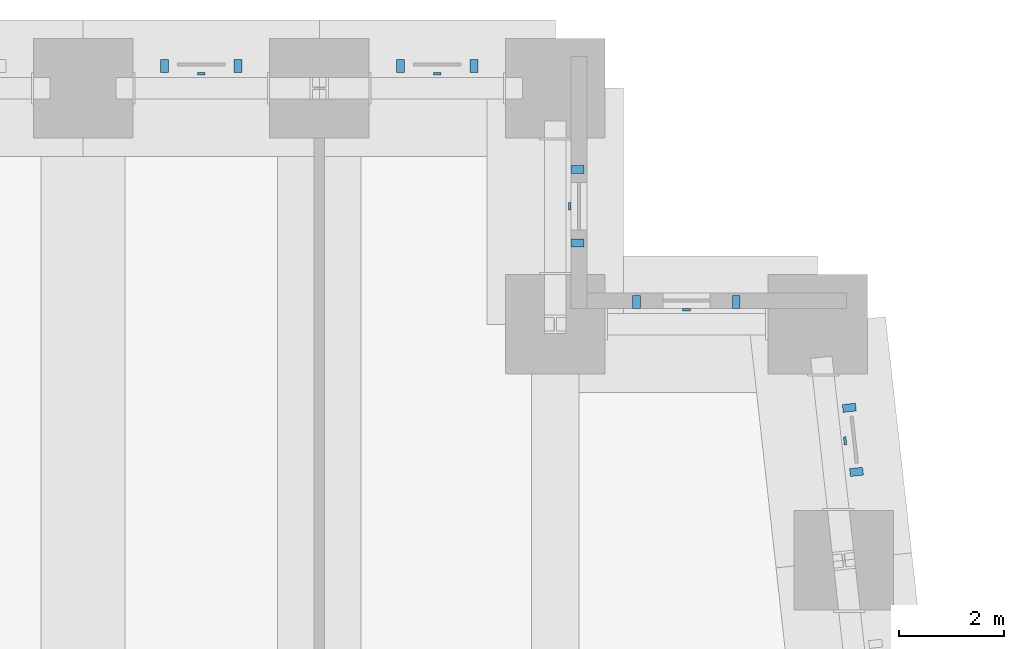
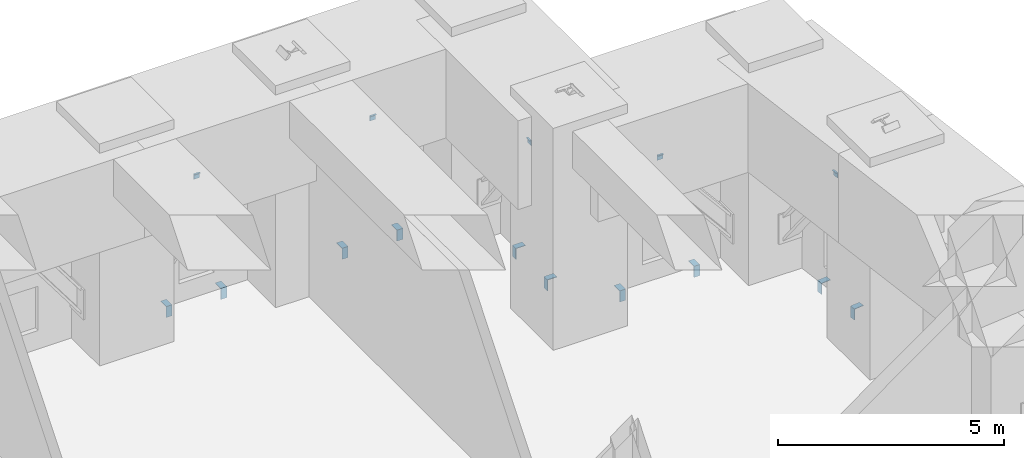
# One storey, part 15 of 17: 15 discrete accessories.
"""IFC4 building model written with IfcOpenShell, lengths in metres."""

from ifc_helpers import new_model, si_unit, direction, frame, origin, place, context, subcontext, project, spatial, polyline, outline, extrude, source, transform, mapped, material, layer, layer_set, type_object, element, save


model = new_model("IFC4")

# Units and contexts
model_context = context("Model", 3, precision=1e-05, world=origin(), true_north=direction((0.0, 1.0)))
body_context = subcontext(model_context, "Body", "Model", "MODEL_VIEW")
ifc_project = project(units=[si_unit("LENGTHUNIT", "METRE"), si_unit("AREAUNIT", "SQUARE_METRE"), si_unit("VOLUMEUNIT", "CUBIC_METRE"), si_unit("PLANEANGLEUNIT", "RADIAN"), si_unit("MASSUNIT", "GRAM", prefix="KILO")], contexts=[model_context])

# Site, building, storey
site_placement = place(None, origin())
site = spatial("IfcSite", under=ifc_project, at=site_placement, CompositionType="ELEMENT")
building_placement = place(site_placement, origin())
building = spatial("IfcBuilding", under=site, at=building_placement, Name="Kilele Tower Hotel", CompositionType="ELEMENT")
storey_placement = place(building_placement, frame((0.0, 0.0, 151.89990234375)))
storey = spatial("IfcBuildingStorey", under=building, at=storey_placement, Name="L39", CompositionType="ELEMENT", Elevation=151.89990234375)

# Discrete accessories
ifc_material_1 = material(Name="Hot-dip galvanized steel S355", Category="steel")
ifc_layer_1 = layer(ifc_material_1, 0.014892578125)
ifc_layer_set_1 = layer_set([ifc_layer_1], Name="Hot-dip galvanized steel S355")
discrete_accessory_type_1 = type_object("IfcDiscreteAccessoryType", Name="Facade panel bearing bracket 250x150x15", PredefinedType="BRACKET", material=ifc_layer_set_1)
shared_shape_1 = source(origin(), body_context, "Body", "SweptSolid", [
    extrude(outline(polyline([(0.0, 0.0), (0.25, 0.0), (0.25, -0.014892578125), (0.014892578125, -0.014892578125), (0.014892578125, -0.300048828125), (0.0, -0.300048828125), (0.0, 0.0)])), origin(), (0.0, 0.0, 1.0), 0.14990234375),
])
for number, where, z_axis, x_axis, name in (
    (1, (46.10791015625, 33.24658203125, 0.0), (0.110432, -0.993884, 0.0), (0.993884, 0.110432, 0.0), "Facade panel bearing bracket L39"),
    (2, (45.971923828125, 34.46875, 0.0), (0.110432, -0.993884, 0.0), (0.993884, 0.110432, 0.0), "Facade panel bearing bracket L39"),
    (3, (43.875, 36.300048828125, 0.0), (1.0, 0.0, 0.0), (0.0, 1.0, 0.0), "Facade panel bearing bracket L39"),
    (4, (41.97509765625, 36.300048828125, 0.0), (1.0, 0.0, 0.0), (0.0, 1.0, 0.0), "Facade panel bearing bracket L39"),
    (5, (40.800048828125, 37.625, 0.0), (0.0, -1.0, 0.0), (1.0, 0.0, 0.0), "Facade panel bearing bracket L39"),
    (6, (40.800048828125, 39.02490234375, 0.0), (0.0, -1.0, 0.0), (1.0, 0.0, 0.0), "Facade panel bearing bracket L39"),
    (7, (38.875, 40.800048828125, 0.0), (1.0, 0.0, 0.0), (0.0, 1.0, 0.0), "Facade panel bearing bracket L39"),
    (8, (37.47509765625, 40.800048828125, 0.0), (1.0, 0.0, 0.0), (0.0, 1.0, 0.0), "Facade panel bearing bracket L39"),
    (9, (34.375, 40.800048828125, 0.0), (1.0, 0.0, 0.0), (0.0, 1.0, 0.0), "Facade panel bearing bracket L39"),
    (10, (32.97509765625, 40.800048828125, 0.0), (1.0, 0.0, 0.0), (0.0, 1.0, 0.0), "Facade panel bearing bracket L39"),
):
    element("IfcDiscreteAccessory", number, at=place(storey_placement, frame(where, z_axis=z_axis, x_axis=x_axis)), inside=storey, type_object=discrete_accessory_type_1, Name=name, PredefinedType="BRACKET", context=body_context, shape_type="MappedRepresentation", body=[
        mapped(shared_shape_1, transform((0.0, 0.0, 0.0))),
    ])
ifc_material_2 = material(Name="Hot-dip galvanized steel S355", Category="steel")
ifc_layer_2 = layer(ifc_material_2, 0.011962890625)
ifc_layer_set_2 = layer_set([ifc_layer_2], Name="Hot-dip galvanized steel S355")
discrete_accessory_type_2 = type_object("IfcDiscreteAccessoryType", Name="Facade panel restraint bracket 150x50x12", PredefinedType="BRACKET", material=ifc_layer_set_2)
shared_shape_2 = source(origin(), body_context, "Body", "SweptSolid", [
    extrude(outline(polyline([(0.0, 0.0), (0.0, -0.14990234375), (-0.011962890625, -0.14990234375), (-0.011962890625, -0.011962890625), (-0.050048828125, -0.011962890625), (-0.050048828125, 0.0), (0.0, 0.0)])), origin(), (0.0, 0.0, 1.0), 0.14990234375),
])
for number, where, z_axis, x_axis, name in (
    (11, (46.039794921875, 33.857666015625, 3.35009765625), (0.110432, -0.993884, 0.0), (0.993884, 0.110432, 0.0), "Facade panel restraint bracket L39"),
    (12, (42.925048828125, 36.300048828125, 3.35009765625), (1.0, 0.0, 0.0), (0.0, 1.0, 0.0), "Facade panel restraint bracket L39"),
    (13, (40.800048828125, 38.324951171875, 3.35009765625), (0.0, -1.0, 0.0), (1.0, 0.0, 0.0), "Facade panel restraint bracket L39"),
    (14, (38.175048828125, 40.800048828125, 3.35009765625), (1.0, 0.0, 0.0), (0.0, 1.0, 0.0), "Facade panel restraint bracket L39"),
    (15, (33.675048828125, 40.800048828125, 3.35009765625), (1.0, 0.0, 0.0), (0.0, 1.0, 0.0), "Facade panel restraint bracket L39"),
):
    element("IfcDiscreteAccessory", number, at=place(storey_placement, frame(where, z_axis=z_axis, x_axis=x_axis)), inside=storey, type_object=discrete_accessory_type_2, Name=name, PredefinedType="BRACKET", context=body_context, shape_type="MappedRepresentation", body=[
        mapped(shared_shape_2, transform((0.0, 0.0, 0.0))),
    ])

save(model, "model.ifc")
